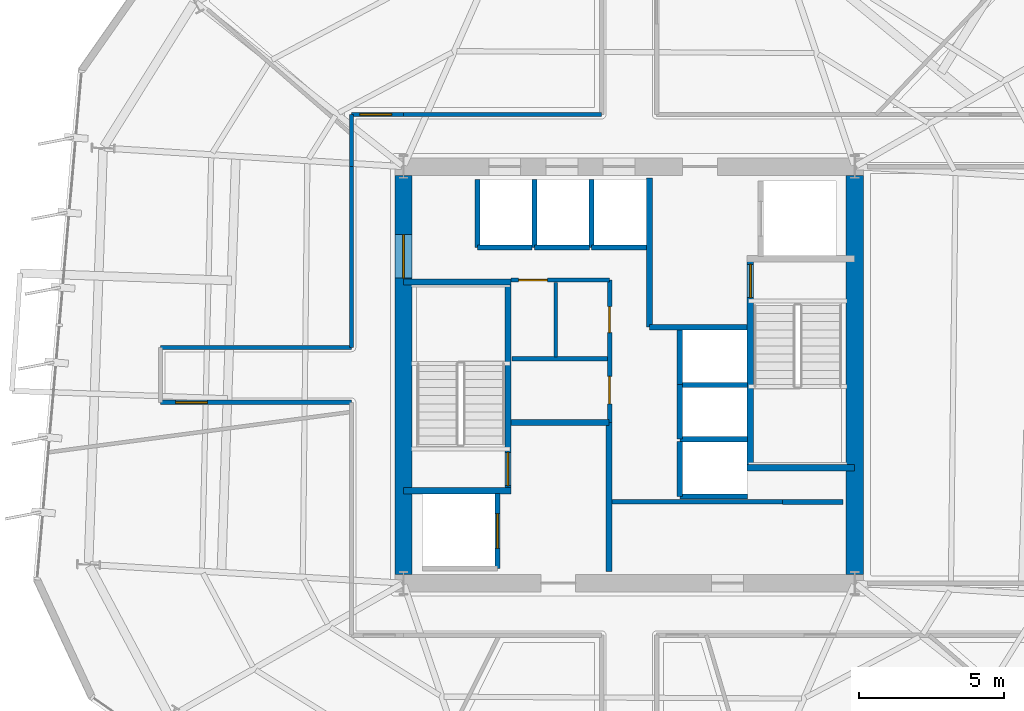
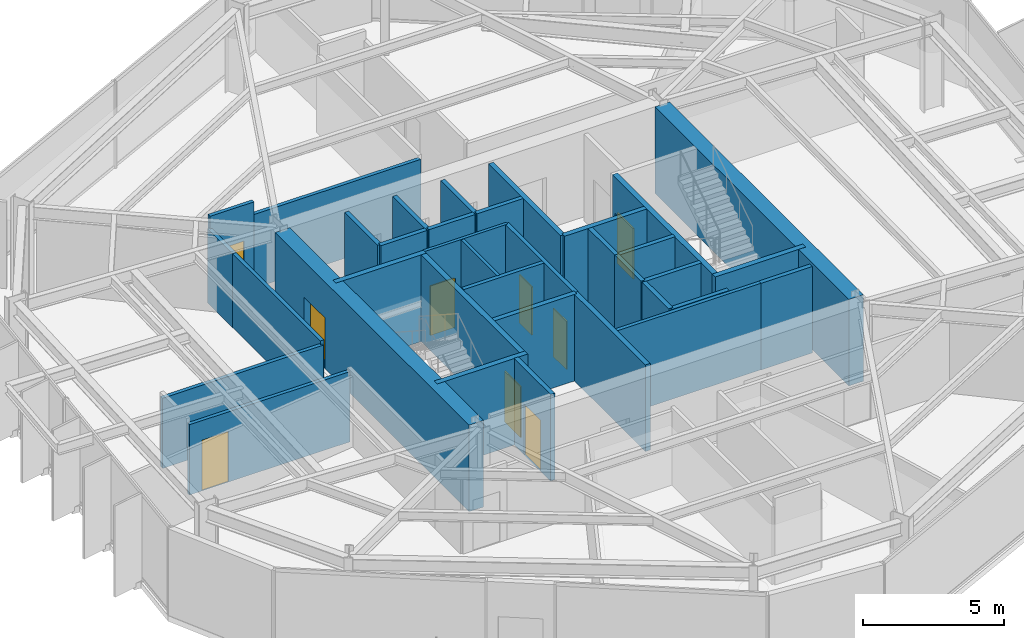
# One storey, part 7 of 12: 36 walls, 9 doors, 9 openings.
"""IFC4 building model written with IfcOpenShell, lengths in metres."""

from ifc_helpers import new_model, si_unit, direction, frame, frame_2d, origin, place, context, subcontext, project, spatial, rectangle, extrude, material, layer, layer_set, type_object, element, fill, save


model = new_model("IFC4")

# Units and contexts
model_context = context("Model", 3, precision=1e-05, world=origin(), true_north=direction((0.0, 1.0)))
body_context = subcontext(model_context, "Body", "Model", "MODEL_VIEW")
ifc_project = project(units=[si_unit("LENGTHUNIT", "METRE"), si_unit("AREAUNIT", "SQUARE_METRE"), si_unit("VOLUMEUNIT", "CUBIC_METRE"), si_unit("PLANEANGLEUNIT", "RADIAN"), si_unit("MASSUNIT", "GRAM", prefix="KILO")], contexts=[model_context])

# Site, building, storey
site_placement = place(None, origin())
site = spatial("IfcSite", under=ifc_project, at=site_placement, CompositionType="ELEMENT")
building_placement = place(site_placement, origin())
building = spatial("IfcBuilding", under=site, at=building_placement, Name="Kranzbogen Civic Tower", CompositionType="ELEMENT")
storey_placement = place(building_placement, frame((0.0, 0.0, 122.39990234375)))
storey = spatial("IfcBuildingStorey", under=building, at=storey_placement, Name="L29", CompositionType="ELEMENT", Elevation=122.39990234375)

# Wall
ifc_material_1 = material(Name="Double-Stud Acoustic Gypsum Partition")
ifc_layer_1 = layer(ifc_material_1, 0.14990234375, Name="Double-Stud Acoustic Gypsum Partition")
ifc_layer_set_1 = layer_set([ifc_layer_1], Name="Double-Stud Acoustic Gypsum Partition")
wall_type_1 = type_object("IfcWallType", Name="Acoustic Corridor and Clinical Partition 150 mm", PredefinedType="PARTITIONING", material=ifc_layer_set_1)
wall_1_placement = place(storey_placement, frame((24.39990234375, 20.610107421875, 0.0), z_axis=(0.0, 0.0, 1.0), x_axis=(1.0, 0.0, 0.0)))
element("IfcWall", 1, at=wall_1_placement, inside=storey, type_object=wall_type_1, Name="L29 records zone North wall", PredefinedType="PARTITIONING", context=body_context, shape_type="SweptSolid", body=[
    extrude(rectangle(XDim=5.900146484375, YDim=0.14990234375, at=frame_2d((2.9501953125, 0.0))), origin(), (0.0, 0.0, 1.0), 3.760009765625),
])

# Wall, opening, door
wall_2_placement = place(storey_placement, frame((15.39990234375, 24.050048828125, 0.0), z_axis=(0.0, 0.0, 1.0), x_axis=(-1.0, 0.0, 0.0)))
wall_2 = element("IfcWall", 2, at=wall_2_placement, inside=storey, type_object=wall_type_1, Name="L29 corridor partition 04", PredefinedType="PARTITIONING", context=body_context, shape_type="SweptSolid", body=[
    extrude(rectangle(XDim=6.599853515625, YDim=0.14990234375, at=frame_2d((3.2998046875, 0.0))), origin(), (0.0, 0.0, 1.0), 3.050048828125),
])
opening_1_placement = place(wall_2_placement, frame((4.98291015625, 0.0, 0.0)))
opening_1 = element("IfcOpeningElement", 3, at=opening_1_placement, cuts=wall_2, Name="Opening D-COR60", PredefinedType="OPENING", context=body_context, shape_type="SweptSolid", body=[
    extrude(rectangle(XDim=1.10009765625, YDim=2.199951171875, at=frame_2d((0.550048828125, 1.10009765625))), frame((0.0, 0.0849609375, 0.0), z_axis=(0.0, -1.0, 0.0), x_axis=(1.0, 0.0, 0.0)), (0.0, 0.0, 1.0), 0.169921875),
])
ifc_material_2 = material(Name="Oak Timber and Fire Core", Category="wood")
door_type_1 = type_object("IfcDoorType", Name="Corridor Acoustic Fire Door 1100x2200", OperationType="NOTDEFINED", PredefinedType="DOOR", material=ifc_material_2)
door_1_placement = place(opening_1_placement, origin())
door_1 = element("IfcDoor", 4, at=door_1_placement, inside=storey, type_object=door_type_1, Name="L29 Operations Security Control Room door", OperationType="SINGLE_SWING_RIGHT", OverallHeight=2.199951171875, OverallWidth=1.10009765625, PredefinedType="DOOR", context=body_context, shape_type="SweptSolid", body=[
    extrude(rectangle(XDim=1.10009765625, YDim=2.199951171875, at=frame_2d((0.550048828125, 1.10009765625))), frame((0.0, 0.02490234375, 0.0), z_axis=(0.0, -1.0, 0.0), x_axis=(1.0, 0.0, 0.0)), (0.0, 0.0, 1.0), 0.050048828125),
])
fill(opening_1, door_1)

# Walls
wall_3_placement = place(storey_placement, frame((8.800048828125, 25.949951171875, 0.0), z_axis=(0.0, 0.0, 1.0), x_axis=(1.0, 0.0, 0.0)))
element("IfcWall", 5, at=wall_3_placement, inside=storey, type_object=wall_type_1, Name="L29 corridor partition 06", PredefinedType="PARTITIONING", context=body_context, shape_type="SweptSolid", body=[
    extrude(rectangle(XDim=6.599853515625, YDim=0.14990234375, at=frame_2d((3.2998046875, 0.0))), origin(), (0.0, 0.0, 1.0), 3.050048828125),
])
wall_4_placement = place(storey_placement, frame((15.39990234375, 25.949951171875, 0.0), z_axis=(0.0, 0.0, 1.0), x_axis=(0.0, 1.0, 0.0)))
element("IfcWall", 6, at=wall_4_placement, inside=storey, type_object=wall_type_1, Name="L29 corridor partition 07", PredefinedType="PARTITIONING", context=body_context, shape_type="SweptSolid", body=[
    extrude(rectangle(XDim=6.25, YDim=0.14990234375, at=frame_2d((3.125, 0.0))), origin(), (0.0, 0.0, 1.0), 3.210205078125),
])
wall_5_placement = place(storey_placement, frame((15.39990234375, 32.199951171875, 0.0), z_axis=(0.0, 0.0, 1.0), x_axis=(0.0, 1.0, 0.0)))
element("IfcWall", 7, at=wall_5_placement, inside=storey, type_object=wall_type_1, Name="L29 corridor partition 08", PredefinedType="PARTITIONING", context=body_context, shape_type="SweptSolid", body=[
    extrude(rectangle(XDim=1.800048828125, YDim=0.14990234375, at=frame_2d((0.89990234375, 0.0))), origin(), (0.0, 0.0, 1.0), 3.210205078125),
])

# Wall, opening, door
wall_6_placement = place(storey_placement, frame((15.39990234375, 34.0, 0.0), z_axis=(0.0, 0.0, 1.0), x_axis=(1.0, 0.0, 0.0)))
wall_6 = element("IfcWall", 8, at=wall_6_placement, inside=storey, type_object=wall_type_1, Name="L29 corridor partition 09", PredefinedType="PARTITIONING", context=body_context, shape_type="SweptSolid", body=[
    extrude(rectangle(XDim=1.800048828125, YDim=0.14990234375, at=frame_2d((0.89990234375, 0.0))), origin(), (0.0, 0.0, 1.0), 3.760009765625),
])
opening_2_placement = place(wall_6_placement, frame((0.287109375, 0.0, 0.0)))
opening_2 = element("IfcOpeningElement", 9, at=opening_2_placement, cuts=wall_6, Name="Opening D-COR60", PredefinedType="OPENING", context=body_context, shape_type="SweptSolid", body=[
    extrude(rectangle(XDim=1.10009765625, YDim=2.199951171875, at=frame_2d((0.550048828125, 1.10009765625))), frame((0.0, 0.0849609375, 0.0), z_axis=(0.0, -1.0, 0.0), x_axis=(1.0, 0.0, 0.0)), (0.0, 0.0, 1.0), 0.169921875),
])
door_2_placement = place(opening_2_placement, origin())
door_2 = element("IfcDoor", 10, at=door_2_placement, inside=storey, type_object=door_type_1, Name="L29 Refreshment Galley Pantry door", OperationType="SINGLE_SWING_LEFT", OverallHeight=2.199951171875, OverallWidth=1.10009765625, PredefinedType="DOOR", context=body_context, shape_type="SweptSolid", body=[
    extrude(rectangle(XDim=1.10009765625, YDim=2.199951171875, at=frame_2d((0.550048828125, 1.10009765625))), frame((0.0, 0.02490234375, 0.0), z_axis=(0.0, -1.0, 0.0), x_axis=(1.0, 0.0, 0.0)), (0.0, 0.0, 1.0), 0.050048828125),
])
fill(opening_2, door_2)

# Wall
wall_7_placement = place(storey_placement, frame((17.199951171875, 34.0, 0.0), z_axis=(0.0, 0.0, 1.0), x_axis=(1.0, 0.0, 0.0)))
element("IfcWall", 11, at=wall_7_placement, inside=storey, type_object=wall_type_1, Name="L29 corridor partition 10", PredefinedType="PARTITIONING", context=body_context, shape_type="SweptSolid", body=[
    extrude(rectangle(XDim=6.85009765625, YDim=0.14990234375, at=frame_2d((3.425048828125, 0.0))), origin(), (0.0, 0.0, 1.0), 3.210205078125),
])

# Wall, opening, door
ifc_material_3 = material(Name="Insulated Metal-Stud Gypsum Partition")
ifc_layer_2 = layer(ifc_material_3, 0.125, Name="Insulated Metal-Stud Gypsum Partition")
ifc_layer_set_2 = layer_set([ifc_layer_2], Name="Insulated Metal-Stud Gypsum Partition")
wall_type_2 = type_object("IfcWallType", Name="Acoustic Inter-Room Partition 125 mm", PredefinedType="PARTITIONING", material=ifc_layer_set_2)
wall_8_placement = place(storey_placement, frame((20.919921875, 28.280029296875, 0.0), z_axis=(0.0, 0.0, 1.0), x_axis=(1.0, 0.0, 0.0)))
wall_8 = element("IfcWall", 12, at=wall_8_placement, inside=storey, type_object=wall_type_2, Name="L29 core auxiliary North wall", PredefinedType="PARTITIONING", context=body_context, shape_type="SweptSolid", body=[
    extrude(rectangle(XDim=3.405029296875, YDim=0.125, at=frame_2d((1.70263671875, 0.0))), origin(), (0.0, 0.0, 1.0), 3.760009765625),
])
opening_3_placement = place(wall_8_placement, frame((0.2548828125, 0.0, 0.0)))
opening_3 = element("IfcOpeningElement", 13, at=opening_3_placement, cuts=wall_8, Name="Opening D-RSR10", PredefinedType="OPENING", context=body_context, shape_type="SweptSolid", body=[
    extrude(rectangle(XDim=1.0, YDim=2.14990234375, at=frame_2d((0.5, 1.074951171875))), frame((0.0, 0.072509765625, 0.0), z_axis=(0.0, -1.0, 0.0), x_axis=(1.0, 0.0, 0.0)), (0.0, 0.0, 1.0), 0.14501953125),
])
door_type_2 = type_object("IfcDoorType", Name="Core Archive and Riser Fire Door 1000x2150", OperationType="NOTDEFINED", PredefinedType="DOOR", material=ifc_material_2)
door_3_placement = place(opening_3_placement, origin())
door_3 = element("IfcDoor", 14, at=door_3_placement, inside=storey, type_object=door_type_2, Name="L29 Telecom and Riser Room door", OperationType="SINGLE_SWING_LEFT", OverallHeight=2.14990234375, OverallWidth=1.0, PredefinedType="DOOR", context=body_context, shape_type="SweptSolid", body=[
    extrude(rectangle(XDim=1.0, YDim=2.14990234375, at=frame_2d((0.5, 1.074951171875))), frame((0.0, 0.02490234375, 0.0), z_axis=(0.0, -1.0, 0.0), x_axis=(1.0, 0.0, 0.0)), (0.0, 0.0, 1.0), 0.050048828125),
])
fill(opening_3, door_3)

# Wall
wall_9_placement = place(storey_placement, frame((22.4599609375, 25.6201171875, 0.0), z_axis=(0.0, 0.0, 1.0), x_axis=(0.0, 1.0, 0.0)))
element("IfcWall", 15, at=wall_9_placement, inside=storey, type_object=wall_type_2, Name="L29 core auxiliary partition 2", PredefinedType="PARTITIONING", context=body_context, shape_type="SweptSolid", body=[
    extrude(rectangle(XDim=2.579833984375, YDim=0.125, at=frame_2d((1.2900390625, 0.0))), origin(), (0.0, 0.0, 1.0), 3.760009765625),
])

# Wall, opening, door
ifc_material_4 = material(Name="Concrete C55/67", Category="concrete")
ifc_layer_3 = layer(ifc_material_4, 0.60009765625, Name="Concrete C55/67")
ifc_layer_set_3 = layer_set([ifc_layer_3], Name="Concrete C55/67")
wall_type_3 = type_object("IfcWallType", Name="Central Core Shear Wall 600 mm", PredefinedType="SHEAR", material=ifc_layer_set_3)
wall_10_placement = place(storey_placement, frame((17.199951171875, 31.89990234375, 0.0), z_axis=(0.0, 0.0, 1.0), x_axis=(0.0, -1.0, 0.0)))
wall_10 = element("IfcWall", 16, at=wall_10_placement, inside=storey, type_object=wall_type_3, Name="L29 central core West shear wall", PredefinedType="SHEAR", context=body_context, shape_type="SweptSolid", body=[
    extrude(rectangle(XDim=13.7998046875, YDim=0.60009765625, at=frame_2d((6.89990234375, 0.0))), origin(), (0.0, 0.0, 1.0), 3.760009765625),
])
opening_4_placement = place(wall_10_placement, frame((2.050048828125, 0.0, 0.0)))
opening_4 = element("IfcOpeningElement", 17, at=opening_4_placement, cuts=wall_10, Name="Opening D-DBL15", PredefinedType="OPENING", context=body_context, shape_type="SweptSolid", body=[
    extrude(rectangle(XDim=1.5, YDim=2.199951171875, at=frame_2d((0.75, 1.10009765625))), frame((0.0, 0.31005859375, 0.0), z_axis=(0.0, -1.0, 0.0), x_axis=(1.0, 0.0, 0.0)), (0.0, 0.0, 1.0), 0.6201171875),
])
ifc_material_5 = material(Name="Anodised Bronze and Glass", Category="glass")
door_type_3 = type_object("IfcDoorType", Name="Civic Lobby Double Door 1500x2200", OperationType="DOUBLE_DOOR_SINGLE_SWING", PredefinedType="DOOR", material=ifc_material_5)
door_4_placement = place(opening_4_placement, origin())
door_4 = element("IfcDoor", 18, at=door_4_placement, inside=storey, type_object=door_type_3, Name="L29 Central Lift Lobby West concourse door", OperationType="DOUBLE_DOOR_SINGLE_SWING", OverallHeight=2.199951171875, OverallWidth=1.5, PredefinedType="DOOR", context=body_context, shape_type="SweptSolid", body=[
    extrude(rectangle(XDim=1.5, YDim=2.199951171875, at=frame_2d((0.75, 1.10009765625))), frame((0.0, 0.02490234375, 0.0), z_axis=(0.0, -1.0, 0.0), x_axis=(1.0, 0.0, 0.0)), (0.0, 0.0, 1.0), 0.050048828125),
])
fill(opening_4, door_4)

# Wall
wall_11_placement = place(storey_placement, frame((32.800048828125, 18.10009765625, 0.0), z_axis=(0.0, 0.0, 1.0), x_axis=(0.0, 1.0, 0.0)))
element("IfcWall", 19, at=wall_11_placement, inside=storey, type_object=wall_type_3, Name="L29 central core East shear wall", PredefinedType="SHEAR", context=body_context, shape_type="SweptSolid", body=[
    extrude(rectangle(XDim=13.7998046875, YDim=0.60009765625, at=frame_2d((6.89990234375, 0.0))), origin(), (0.0, 0.0, 1.0), 3.760009765625),
])

# Wall, opening, door
ifc_material_6 = material(Name="Concrete C45/55", Category="concrete")
ifc_layer_4 = layer(ifc_material_6, 0.219970703125, Name="Concrete C45/55")
ifc_layer_set_4 = layer_set([ifc_layer_4], Name="Concrete C45/55")
wall_type_4 = type_object("IfcWallType", Name="Core Internal Stair Structural Wall 220 mm", PredefinedType="SOLIDWALL", material=ifc_layer_set_4)
wall_12_placement = place(storey_placement, frame((20.81005859375, 20.989990234375, 0.0), z_axis=(0.0, 0.0, 1.0), x_axis=(0.0, 1.0, 0.0)))
wall_12 = element("IfcWall", 20, at=wall_12_placement, inside=storey, type_object=wall_type_4, Name="L29 ST-T1 East structural stair wall", PredefinedType="SOLIDWALL", context=body_context, shape_type="SweptSolid", body=[
    extrude(rectangle(XDim=7.219970703125, YDim=0.219970703125, at=frame_2d((3.60986328125, 0.0))), origin(), (0.0, 0.0, 1.0), 3.760009765625),
])
opening_5_placement = place(wall_12_placement, frame((0.179931640625, 0.0, 0.0)))
opening_5 = element("IfcOpeningElement", 21, at=opening_5_placement, cuts=wall_12, Name="Opening D-ST90", PredefinedType="OPENING", context=body_context, shape_type="SweptSolid", body=[
    extrude(rectangle(XDim=1.14990234375, YDim=2.199951171875, at=frame_2d((0.574951171875, 1.10009765625))), frame((0.0, 0.1201171875, 0.0), z_axis=(0.0, -1.0, 0.0), x_axis=(1.0, 0.0, 0.0)), (0.0, 0.0, 1.0), 0.239990234375),
])
ifc_material_7 = material(Name="Steel S355", Category="steel")
door_type_4 = type_object("IfcDoorType", Name="Pressurized Stair and Lobby Fire Door 1150x2200", OperationType="NOTDEFINED", PredefinedType="DOOR", material=ifc_material_7)
door_5_placement = place(opening_5_placement, origin())
door_5 = element("IfcDoor", 22, at=door_5_placement, inside=storey, type_object=door_type_4, Name="L29 Stair ST-T1 fire door", OperationType="SINGLE_SWING_RIGHT", OverallHeight=2.199951171875, OverallWidth=1.14990234375, PredefinedType="DOOR", context=body_context, shape_type="SweptSolid", body=[
    extrude(rectangle(XDim=1.14990234375, YDim=2.199951171875, at=frame_2d((0.574951171875, 1.10009765625))), frame((0.0, 0.02490234375, 0.0), z_axis=(0.0, -1.0, 0.0), x_axis=(1.0, 0.0, 0.0)), (0.0, 0.0, 1.0), 0.050048828125),
])
fill(opening_5, door_5)

# Walls
for number, where, z_axis, x_axis, name in (
    (23, (17.199951171875, 20.989990234375, 0.0), (0.0, 0.0, 1.0), (1.0, 0.0, 0.0), "L29 ST-T1 South structural stair wall"),
    (24, (17.199951171875, 28.2099609375, 0.0), (0.0, 0.0, 1.0), (1.0, 0.0, 0.0), "L29 ST-T1 North structural stair wall"),
):
    element("IfcWall", number, at=place(storey_placement, frame(where, z_axis=z_axis, x_axis=x_axis)), inside=storey, type_object=wall_type_4, Name=name, PredefinedType="SOLIDWALL", context=body_context, shape_type="SweptSolid", body=[
        extrude(rectangle(XDim=3.719970703125, YDim=0.219970703125, at=frame_2d((1.85986328125, 0.0))), origin(), (0.0, 0.0, 1.0), 3.760009765625),
    ])

# Wall, opening, door
wall_13_placement = place(storey_placement, frame((29.18994140625, 21.7900390625, 0.0), z_axis=(0.0, 0.0, 1.0), x_axis=(0.0, 1.0, 0.0)))
wall_13 = element("IfcWall", 25, at=wall_13_placement, inside=storey, type_object=wall_type_4, Name="L29 ST-T2 West structural stair wall", PredefinedType="SOLIDWALL", context=body_context, shape_type="SweptSolid", body=[
    extrude(rectangle(XDim=7.219970703125, YDim=0.219970703125, at=frame_2d((3.60986328125, 0.0))), origin(), (0.0, 0.0, 1.0), 3.760009765625),
])
opening_6_placement = place(wall_13_placement, frame((5.8798828125, 0.0, 0.0)))
opening_6 = element("IfcOpeningElement", 26, at=opening_6_placement, cuts=wall_13, Name="Opening D-ST90", PredefinedType="OPENING", context=body_context, shape_type="SweptSolid", body=[
    extrude(rectangle(XDim=1.14990234375, YDim=2.199951171875, at=frame_2d((0.574951171875, 1.10009765625))), frame((0.0, 0.1201171875, 0.0), z_axis=(0.0, -1.0, 0.0), x_axis=(1.0, 0.0, 0.0)), (0.0, 0.0, 1.0), 0.239990234375),
])
door_6_placement = place(opening_6_placement, origin())
door_6 = element("IfcDoor", 27, at=door_6_placement, inside=storey, type_object=door_type_4, Name="L29 Stair ST-T2 fire door", OperationType="SINGLE_SWING_LEFT", OverallHeight=2.199951171875, OverallWidth=1.14990234375, PredefinedType="DOOR", context=body_context, shape_type="SweptSolid", body=[
    extrude(rectangle(XDim=1.14990234375, YDim=2.199951171875, at=frame_2d((0.574951171875, 1.10009765625))), frame((0.0, 0.02490234375, 0.0), z_axis=(0.0, -1.0, 0.0), x_axis=(1.0, 0.0, 0.0)), (0.0, 0.0, 1.0), 0.050048828125),
])
fill(opening_6, door_6)

# Walls
wall_14_placement = place(storey_placement, frame((29.080078125, 21.7900390625, 0.0), z_axis=(0.0, 0.0, 1.0), x_axis=(1.0, 0.0, 0.0)))
element("IfcWall", 28, at=wall_14_placement, inside=storey, type_object=wall_type_4, Name="L29 ST-T2 South structural stair wall", PredefinedType="SOLIDWALL", context=body_context, shape_type="SweptSolid", body=[
    extrude(rectangle(XDim=3.719970703125, YDim=0.219970703125, at=frame_2d((1.85986328125, 0.0))), origin(), (0.0, 0.0, 1.0), 3.760009765625),
])
ifc_material_8 = material(Name="Gypsum Fireboard and Concrete Block", Category="concrete")
ifc_layer_5 = layer(ifc_material_8, 0.199951171875, Name="Gypsum Fireboard and Concrete Block")
ifc_layer_set_5 = layer_set([ifc_layer_5], Name="Gypsum Fireboard and Concrete Block")
wall_type_5 = type_object("IfcWallType", Name="Fire-Rated Exit Passageway and Stair Wall 200 mm", PredefinedType="PARTITIONING", material=ifc_layer_set_5)
wall_15_placement = place(storey_placement, frame((24.300048828125, 18.199951171875, 0.0), z_axis=(0.0, 0.0, 1.0), x_axis=(0.0, 1.0, 0.0)))
element("IfcWall", 29, at=wall_15_placement, inside=storey, type_object=wall_type_5, Name="L29 West firefighting lobby East wall", PredefinedType="PARTITIONING", context=body_context, shape_type="SweptSolid", body=[
    extrude(rectangle(XDim=5.150146484375, YDim=0.199951171875, at=frame_2d((2.5751953125, 0.0))), origin(), (0.0, 0.0, 1.0), 3.760009765625),
])
wall_16_placement = place(storey_placement, frame((20.919921875, 23.35009765625, 0.0), z_axis=(0.0, 0.0, 1.0), x_axis=(1.0, 0.0, 0.0)))
element("IfcWall", 30, at=wall_16_placement, inside=storey, type_object=wall_type_5, Name="L29 West firefighting lobby North wall", PredefinedType="PARTITIONING", context=body_context, shape_type="SweptSolid", body=[
    extrude(rectangle(XDim=3.380126953125, YDim=0.199951171875, at=frame_2d((1.68994140625, 0.0))), origin(), (0.0, 0.0, 1.0), 3.760009765625),
])
wall_17_placement = place(storey_placement, frame((25.699951171875, 26.64990234375, 0.0), z_axis=(0.0, 0.0, 1.0), x_axis=(0.0, 1.0, 0.0)))
element("IfcWall", 31, at=wall_17_placement, inside=storey, type_object=wall_type_5, Name="L29 East firefighting lobby West wall", PredefinedType="PARTITIONING", context=body_context, shape_type="SweptSolid", body=[
    extrude(rectangle(XDim=5.150146484375, YDim=0.199951171875, at=frame_2d((2.5751953125, 0.0))), origin(), (0.0, 0.0, 1.0), 3.760009765625),
])
wall_18_placement = place(storey_placement, frame((25.699951171875, 26.64990234375, 0.0), z_axis=(0.0, 0.0, 1.0), x_axis=(1.0, 0.0, 0.0)))
element("IfcWall", 32, at=wall_18_placement, inside=storey, type_object=wall_type_5, Name="L29 East firefighting lobby South wall", PredefinedType="PARTITIONING", context=body_context, shape_type="SweptSolid", body=[
    extrude(rectangle(XDim=3.380126953125, YDim=0.199951171875, at=frame_2d((1.68994140625, 0.0))), origin(), (0.0, 0.0, 1.0), 3.760009765625),
])
ifc_material_9 = material(Name="Gypsum Fireboard Shaftliner")
ifc_layer_6 = layer(ifc_material_9, 0.175048828125, Name="Gypsum Fireboard Shaftliner")
ifc_layer_set_6 = layer_set([ifc_layer_6], Name="Gypsum Fireboard Shaftliner")
wall_type_6 = type_object("IfcWallType", Name="Fire-Rated Lift and Service Shaft Wall 175 mm", PredefinedType="PARTITIONING", material=ifc_layer_set_6)
wall_19_placement = place(storey_placement, frame((30.300048828125, 20.610107421875, 0.0), z_axis=(0.0, 0.0, 1.0), x_axis=(1.0, 0.0, 0.0)))
element("IfcWall", 33, at=wall_19_placement, inside=storey, type_object=wall_type_6, Name="L29 merged archive North wall", PredefinedType="PARTITIONING", context=body_context, shape_type="SweptSolid", body=[
    extrude(rectangle(XDim=2.099853515625, YDim=0.175048828125, at=frame_2d((1.0498046875, 0.0))), origin(), (0.0, 0.0, 1.0), 3.760009765625),
])
wall_20_placement = place(storey_placement, frame((19.75, 29.39990234375, 0.0), z_axis=(0.0, 0.0, 1.0), x_axis=(1.0, 0.0, 0.0)))
element("IfcWall", 34, at=wall_20_placement, inside=storey, type_object=wall_type_6, Name="L29 lift MP-01 rear wall", PredefinedType="PARTITIONING", context=body_context, shape_type="SweptSolid", body=[
    extrude(rectangle(XDim=1.89990234375, YDim=0.175048828125, at=frame_2d((0.949951171875, 0.0))), origin(), (0.0, 0.0, 1.0), 3.760009765625),
])
wall_21_placement = place(storey_placement, frame((19.75, 29.39990234375, 0.0), z_axis=(0.0, 0.0, 1.0), x_axis=(0.0, 1.0, 0.0)))
element("IfcWall", 35, at=wall_21_placement, inside=storey, type_object=wall_type_6, Name="L29 lift MP-01 side wall", PredefinedType="PARTITIONING", context=body_context, shape_type="SweptSolid", body=[
    extrude(rectangle(XDim=2.35009765625, YDim=0.175048828125, at=frame_2d((1.175048828125, 0.0))), origin(), (0.0, 0.0, 1.0), 3.760009765625),
])
wall_22_placement = place(storey_placement, frame((21.72509765625, 29.39990234375, 0.0), z_axis=(0.0, 0.0, 1.0), x_axis=(1.0, 0.0, 0.0)))
element("IfcWall", 36, at=wall_22_placement, inside=storey, type_object=wall_type_6, Name="L29 lift MP-02 rear wall", PredefinedType="PARTITIONING", context=body_context, shape_type="SweptSolid", body=[
    extrude(rectangle(XDim=1.89990234375, YDim=0.175048828125, at=frame_2d((0.949951171875, 0.0))), origin(), (0.0, 0.0, 1.0), 3.760009765625),
])
wall_23_placement = place(storey_placement, frame((21.72509765625, 29.39990234375, 0.0), z_axis=(0.0, 0.0, 1.0), x_axis=(0.0, 1.0, 0.0)))
element("IfcWall", 37, at=wall_23_placement, inside=storey, type_object=wall_type_6, Name="L29 lift MP-02 side wall", PredefinedType="PARTITIONING", context=body_context, shape_type="SweptSolid", body=[
    extrude(rectangle(XDim=2.35009765625, YDim=0.175048828125, at=frame_2d((1.175048828125, 0.0))), origin(), (0.0, 0.0, 1.0), 3.760009765625),
])
wall_24_placement = place(storey_placement, frame((23.699951171875, 29.39990234375, 0.0), z_axis=(0.0, 0.0, 1.0), x_axis=(1.0, 0.0, 0.0)))
element("IfcWall", 38, at=wall_24_placement, inside=storey, type_object=wall_type_6, Name="L29 lift MP-03 rear wall", PredefinedType="PARTITIONING", context=body_context, shape_type="SweptSolid", body=[
    extrude(rectangle(XDim=1.900146484375, YDim=0.175048828125, at=frame_2d((0.9501953125, 0.0))), origin(), (0.0, 0.0, 1.0), 3.760009765625),
])
wall_25_placement = place(storey_placement, frame((23.699951171875, 29.39990234375, 0.0), z_axis=(0.0, 0.0, 1.0), x_axis=(0.0, 1.0, 0.0)))
element("IfcWall", 39, at=wall_25_placement, inside=storey, type_object=wall_type_6, Name="L29 lift MP-03 side wall", PredefinedType="PARTITIONING", context=body_context, shape_type="SweptSolid", body=[
    extrude(rectangle(XDim=2.35009765625, YDim=0.175048828125, at=frame_2d((1.175048828125, 0.0))), origin(), (0.0, 0.0, 1.0), 3.760009765625),
])
wall_26_placement = place(storey_placement, frame((26.75, 20.800048828125, 0.0), z_axis=(0.0, 0.0, 1.0), x_axis=(0.0, 1.0, 0.0)))
element("IfcWall", 40, at=wall_26_placement, inside=storey, type_object=wall_type_6, Name="L29 lift HP-01 landing wall", PredefinedType="PARTITIONING", context=body_context, shape_type="SweptSolid", body=[
    extrude(rectangle(XDim=1.89990234375, YDim=0.175048828125, at=frame_2d((0.949951171875, 0.0))), origin(), (0.0, 0.0, 1.0), 3.760009765625),
])
wall_27_placement = place(storey_placement, frame((26.75, 20.800048828125, 0.0), z_axis=(0.0, 0.0, 1.0), x_axis=(1.0, 0.0, 0.0)))
element("IfcWall", 41, at=wall_27_placement, inside=storey, type_object=wall_type_6, Name="L29 lift HP-01 side wall", PredefinedType="PARTITIONING", context=body_context, shape_type="SweptSolid", body=[
    extrude(rectangle(XDim=2.35009765625, YDim=0.175048828125, at=frame_2d((1.175048828125, 0.0))), origin(), (0.0, 0.0, 1.0), 3.760009765625),
])
wall_28_placement = place(storey_placement, frame((26.75, 22.77490234375, 0.0), z_axis=(0.0, 0.0, 1.0), x_axis=(0.0, 1.0, 0.0)))
element("IfcWall", 42, at=wall_28_placement, inside=storey, type_object=wall_type_6, Name="L29 lift HP-02 landing wall", PredefinedType="PARTITIONING", context=body_context, shape_type="SweptSolid", body=[
    extrude(rectangle(XDim=1.900146484375, YDim=0.175048828125, at=frame_2d((0.9501953125, 0.0))), origin(), (0.0, 0.0, 1.0), 3.760009765625),
])
wall_29_placement = place(storey_placement, frame((26.75, 22.77490234375, 0.0), z_axis=(0.0, 0.0, 1.0), x_axis=(1.0, 0.0, 0.0)))
element("IfcWall", 43, at=wall_29_placement, inside=storey, type_object=wall_type_6, Name="L29 lift HP-02 side wall", PredefinedType="PARTITIONING", context=body_context, shape_type="SweptSolid", body=[
    extrude(rectangle(XDim=2.35009765625, YDim=0.175048828125, at=frame_2d((1.175048828125, 0.0))), origin(), (0.0, 0.0, 1.0), 3.760009765625),
])
wall_30_placement = place(storey_placement, frame((26.75, 24.64990234375, 0.0), z_axis=(0.0, 0.0, 1.0), x_axis=(0.0, 1.0, 0.0)))
element("IfcWall", 44, at=wall_30_placement, inside=storey, type_object=wall_type_6, Name="L29 lift HP-03 landing wall", PredefinedType="PARTITIONING", context=body_context, shape_type="SweptSolid", body=[
    extrude(rectangle(XDim=1.900146484375, YDim=0.175048828125, at=frame_2d((0.9501953125, 0.0))), origin(), (0.0, 0.0, 1.0), 3.760009765625),
])
wall_31_placement = place(storey_placement, frame((26.75, 24.64990234375, 0.0), z_axis=(0.0, 0.0, 1.0), x_axis=(1.0, 0.0, 0.0)))
element("IfcWall", 45, at=wall_31_placement, inside=storey, type_object=wall_type_6, Name="L29 lift HP-03 side wall", PredefinedType="PARTITIONING", context=body_context, shape_type="SweptSolid", body=[
    extrude(rectangle(XDim=2.35009765625, YDim=0.175048828125, at=frame_2d((1.175048828125, 0.0))), origin(), (0.0, 0.0, 1.0), 3.760009765625),
])

# Wall, opening, door
wall_32_placement = place(storey_placement, frame((20.449951171875, 18.300048828125, 0.0), z_axis=(0.0, 0.0, 1.0), x_axis=(0.0, 1.0, 0.0)))
wall_32 = element("IfcWall", 46, at=wall_32_placement, inside=storey, type_object=wall_type_6, Name="L29 lift FF-01 landing wall", PredefinedType="PARTITIONING", context=body_context, shape_type="SweptSolid", body=[
    extrude(rectangle(XDim=2.599853515625, YDim=0.175048828125, at=frame_2d((1.2998046875, 0.0))), origin(), (0.0, 0.0, 1.0), 3.760009765625),
])
opening_7_placement = place(wall_32_placement, frame((0.699951171875, 0.0, 0.0)))
opening_7 = element("IfcOpeningElement", 47, at=opening_7_placement, cuts=wall_32, Name="Opening LD-FF-01", PredefinedType="OPENING", context=body_context, shape_type="SweptSolid", body=[
    extrude(rectangle(XDim=1.199951171875, YDim=2.199951171875, at=frame_2d((0.60009765625, 1.10009765625))), frame((0.0, 0.09765625, 0.0), z_axis=(0.0, -1.0, 0.0), x_axis=(1.0, 0.0, 0.0)), (0.0, 0.0, 1.0), 0.195068359375),
])
ifc_material_10 = material(Name="Pale Anodised Aluminium", Category="aluminium")
door_type_5 = type_object("IfcDoorType", Name="Firefighting and Stretcher Lift Sliding Landing Door 1200x2200", OperationType="DOUBLE_DOOR_SLIDING", PredefinedType="DOOR", material=ifc_material_10)
door_7_placement = place(opening_7_placement, origin())
door_7 = element("IfcDoor", 48, at=door_7_placement, inside=storey, type_object=door_type_5, Name="L29 lift FF-01 sliding landing door", OperationType="DOUBLE_DOOR_SLIDING", OverallHeight=2.199951171875, OverallWidth=1.199951171875, PredefinedType="DOOR", context=body_context, shape_type="SweptSolid", body=[
    extrude(rectangle(XDim=1.199951171875, YDim=2.199951171875, at=frame_2d((0.60009765625, 1.10009765625))), frame((0.0, 0.02490234375, 0.0), z_axis=(0.0, -1.0, 0.0), x_axis=(1.0, 0.0, 0.0)), (0.0, 0.0, 1.0), 0.050048828125),
])
fill(opening_7, door_7)

# Wall, openings, doors
ifc_material_11 = material(Name="Moisture-Resistant Gypsum Assembly")
ifc_layer_7 = layer(ifc_material_11, 0.159912109375, Name="Moisture-Resistant Gypsum Assembly")
ifc_layer_set_7 = layer_set([ifc_layer_7], Name="Moisture-Resistant Gypsum Assembly")
wall_type_7 = type_object("IfcWallType", Name="Sanitary and Plumbing Wet Wall 160 mm", PredefinedType="PLUMBINGWALL", material=ifc_layer_set_7)
wall_33_placement = place(storey_placement, frame((24.324951171875, 23.35009765625, 0.0), z_axis=(0.0, 0.0, 1.0), x_axis=(0.0, 1.0, 0.0)))
wall_33 = element("IfcWall", 49, at=wall_33_placement, inside=storey, type_object=wall_type_7, Name="L29 core auxiliary East wall", PredefinedType="PLUMBINGWALL", context=body_context, shape_type="SweptSolid", body=[
    extrude(rectangle(XDim=4.929931640625, YDim=0.159912109375, at=frame_2d((2.46484375, 0.0))), origin(), (0.0, 0.0, 1.0), 3.760009765625),
])
opening_8_placement = place(wall_33_placement, frame((0.64990234375, 0.0, 0.0)))
opening_8 = element("IfcOpeningElement", 50, at=opening_8_placement, cuts=wall_33, Name="Opening D-AWC95", PredefinedType="OPENING", context=body_context, shape_type="SweptSolid", body=[
    extrude(rectangle(XDim=0.949951171875, YDim=2.10009765625, at=frame_2d((0.47509765625, 1.050048828125))), frame((0.0, 0.08984375, 0.0), z_axis=(0.0, -1.0, 0.0), x_axis=(1.0, 0.0, 0.0)), (0.0, 0.0, 1.0), 0.179931640625),
])
opening_9_placement = place(wall_33_placement, frame((3.110107421875, 0.0, 0.0)))
opening_9 = element("IfcOpeningElement", 51, at=opening_9_placement, cuts=wall_33, Name="Opening D-WC90", PredefinedType="OPENING", context=body_context, shape_type="SweptSolid", body=[
    extrude(rectangle(XDim=0.89990234375, YDim=2.10009765625, at=frame_2d((0.449951171875, 1.050048828125))), frame((0.0, 0.08984375, 0.0), z_axis=(0.0, -1.0, 0.0), x_axis=(1.0, 0.0, 0.0)), (0.0, 0.0, 1.0), 0.179931640625),
])
ifc_material_12 = material(Name="Moisture-Resistant Laminate")
door_type_6 = type_object("IfcDoorType", Name="Accessible Restroom Door 950x2100", OperationType="NOTDEFINED", PredefinedType="DOOR", material=ifc_material_12)
door_8_placement = place(opening_8_placement, origin())
door_8 = element("IfcDoor", 52, at=door_8_placement, inside=storey, type_object=door_type_6, Name="L29 Accessible Restroom door", OperationType="SINGLE_SWING_RIGHT", OverallHeight=2.10009765625, OverallWidth=0.949951171875, PredefinedType="DOOR", context=body_context, shape_type="SweptSolid", body=[
    extrude(rectangle(XDim=0.949951171875, YDim=2.10009765625, at=frame_2d((0.47509765625, 1.050048828125))), frame((0.0, 0.02490234375, 0.0), z_axis=(0.0, -1.0, 0.0), x_axis=(1.0, 0.0, 0.0)), (0.0, 0.0, 1.0), 0.050048828125),
])
fill(opening_8, door_8)
door_type_7 = type_object("IfcDoorType", Name="Standard Restroom and Store Door 900x2100", OperationType="NOTDEFINED", PredefinedType="DOOR", material=ifc_material_12)
door_9_placement = place(opening_9_placement, origin())
door_9 = element("IfcDoor", 53, at=door_9_placement, inside=storey, type_object=door_type_7, Name="L29 Staff Restroom door", OperationType="SINGLE_SWING_RIGHT", OverallHeight=2.10009765625, OverallWidth=0.89990234375, PredefinedType="DOOR", context=body_context, shape_type="SweptSolid", body=[
    extrude(rectangle(XDim=0.89990234375, YDim=2.10009765625, at=frame_2d((0.449951171875, 1.050048828125))), frame((0.0, 0.02490234375, 0.0), z_axis=(0.0, -1.0, 0.0), x_axis=(1.0, 0.0, 0.0)), (0.0, 0.0, 1.0), 0.050048828125),
])
fill(opening_9, door_9)

# Wall
wall_34_placement = place(storey_placement, frame((20.949951171875, 25.56005859375, 0.0), z_axis=(0.0, 0.0, 1.0), x_axis=(1.0, 0.0, 0.0)))
element("IfcWall", 54, at=wall_34_placement, inside=storey, type_object=wall_type_7, Name="L29 core auxiliary partition 1", PredefinedType="PLUMBINGWALL", context=body_context, shape_type="SweptSolid", body=[
    extrude(rectangle(XDim=3.300048828125, YDim=0.159912109375, at=frame_2d((1.64990234375, 0.0))), origin(), (0.0, 0.0, 1.0), 3.760009765625),
])

save(model, "model.ifc")
